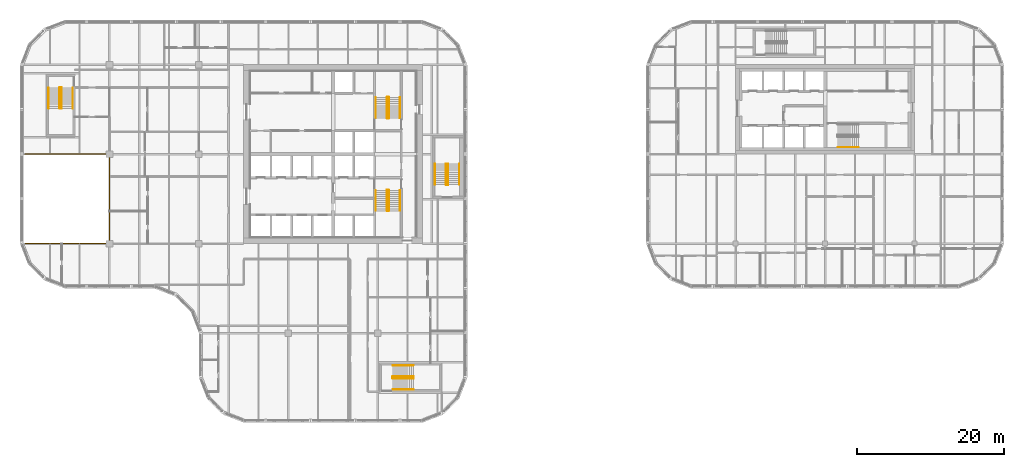
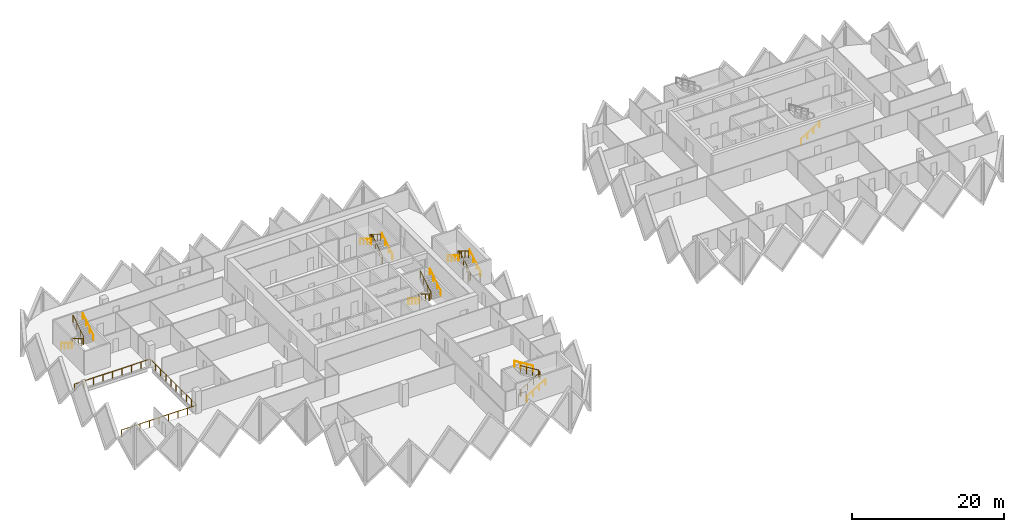
# One storey, part 18 of 19: 17 railings.
"""IFC4 building model written with IfcOpenShell, lengths in metres."""

from ifc_helpers import new_model, si_unit, direction, frame, origin, origin_2d, place, context, subcontext, project, spatial, circle, extrude, material, type_object, element, save


model = new_model("IFC4")

# Units and contexts
model_context = context("Model", 3, precision=1e-05, world=origin(), true_north=direction((0.0, 1.0)))
body_context = subcontext(model_context, "Body", "Model", "MODEL_VIEW")
ifc_project = project(units=[si_unit("LENGTHUNIT", "METRE"), si_unit("AREAUNIT", "SQUARE_METRE"), si_unit("VOLUMEUNIT", "CUBIC_METRE"), si_unit("PLANEANGLEUNIT", "RADIAN"), si_unit("MASSUNIT", "GRAM", prefix="KILO")], contexts=[model_context])

# Site, building, storey
site_placement = place(None, origin())
site = spatial("IfcSite", under=ifc_project, at=site_placement, CompositionType="ELEMENT")
building_placement = place(site_placement, origin())
building = spatial("IfcBuilding", under=site, at=building_placement, Name="Tessera Gate Towers", CompositionType="ELEMENT")
storey_placement = place(building_placement, frame((0.0, 0.0, 76.199951171875)))
storey = spatial("IfcBuildingStorey", under=building, at=storey_placement, Name="L18", CompositionType="ELEMENT", Elevation=76.199951171875)

# Railings
ifc_material_1 = material(Name="Toughened glass with stainless steel handrail", Category="steel")
railing_type_1 = type_object("IfcRailingType", Name="GUARD 1100 GLASS BALUSTRADE", PredefinedType="GUARDRAIL", material=ifc_material_1)
railing_1_placement = place(storey_placement, frame((0.750244140625, 24.39990234375, 0.0)))
element("IfcRailing", 1, at=railing_1_placement, inside=storey, type_object=railing_type_1, Name="Guard", PredefinedType="GUARDRAIL", context=body_context, shape_type="SweptSolid", body=[
    extrude(circle(Radius=0.02490234375, at=origin_2d()), frame((0.0, 0.0, 1.0751953125), z_axis=(1.0, 0.0, 0.0), x_axis=(0.0, 1.0, 0.0)), (0.0, 0.0, 1.0), 11.44970703125),
    extrude(circle(Radius=0.02490234375, at=origin_2d()), frame((11.44970703125, 0.0, 1.0751953125), z_axis=(0.0, 1.0, 0.0), x_axis=(-1.0, 0.0, 0.0)), (0.0, 0.0, 1.0), 12.2001953125),
    extrude(circle(Radius=0.02490234375, at=origin_2d()), frame((11.44970703125, 12.2001953125, 1.0751953125), z_axis=(-1.0, 0.0, 0.0), x_axis=(0.0, -1.0, 0.0)), (0.0, 0.0, 1.0), 11.5),
    extrude(circle(Radius=0.02490234375, at=origin_2d()), origin(), (0.0, 0.0, 1.0), 1.050048828125),
    extrude(circle(Radius=0.02490234375, at=origin_2d()), frame((1.43115234375, 0.0, 0.0)), (0.0, 0.0, 1.0), 1.050048828125),
    extrude(circle(Radius=0.02490234375, at=origin_2d()), frame((2.8623046875, 0.0, 0.0)), (0.0, 0.0, 1.0), 1.050048828125),
    extrude(circle(Radius=0.02490234375, at=origin_2d()), frame((4.293701171875, 0.0, 0.0)), (0.0, 0.0, 1.0), 1.050048828125),
    extrude(circle(Radius=0.02490234375, at=origin_2d()), frame((5.724853515625, 0.0, 0.0)), (0.0, 0.0, 1.0), 1.050048828125),
    extrude(circle(Radius=0.02490234375, at=origin_2d()), frame((7.156005859375, 0.0, 0.0)), (0.0, 0.0, 1.0), 1.050048828125),
    extrude(circle(Radius=0.02490234375, at=origin_2d()), frame((8.58740234375, 0.0, 0.0)), (0.0, 0.0, 1.0), 1.050048828125),
    extrude(circle(Radius=0.02490234375, at=origin_2d()), frame((10.0185546875, 0.0, 0.0)), (0.0, 0.0, 1.0), 1.050048828125),
    extrude(circle(Radius=0.02490234375, at=origin_2d()), frame((11.44970703125, 0.0, 0.0)), (0.0, 0.0, 1.0), 1.050048828125),
    extrude(circle(Radius=0.02490234375, at=origin_2d()), frame((11.44970703125, 1.35546875, 0.0)), (0.0, 0.0, 1.0), 1.050048828125),
    extrude(circle(Radius=0.02490234375, at=origin_2d()), frame((11.44970703125, 2.711181640625, 0.0)), (0.0, 0.0, 1.0), 1.050048828125),
    extrude(circle(Radius=0.02490234375, at=origin_2d()), frame((11.44970703125, 4.066650390625, 0.0)), (0.0, 0.0, 1.0), 1.050048828125),
    extrude(circle(Radius=0.02490234375, at=origin_2d()), frame((11.44970703125, 5.42236328125, 0.0)), (0.0, 0.0, 1.0), 1.050048828125),
    extrude(circle(Radius=0.02490234375, at=origin_2d()), frame((11.44970703125, 6.77783203125, 0.0)), (0.0, 0.0, 1.0), 1.050048828125),
    extrude(circle(Radius=0.02490234375, at=origin_2d()), frame((11.44970703125, 8.133544921875, 0.0)), (0.0, 0.0, 1.0), 1.050048828125),
    extrude(circle(Radius=0.02490234375, at=origin_2d()), frame((11.44970703125, 9.489013671875, 0.0)), (0.0, 0.0, 1.0), 1.050048828125),
    extrude(circle(Radius=0.02490234375, at=origin_2d()), frame((11.44970703125, 10.8447265625, 0.0)), (0.0, 0.0, 1.0), 1.050048828125),
    extrude(circle(Radius=0.02490234375, at=origin_2d()), frame((11.44970703125, 12.2001953125, 0.0)), (0.0, 0.0, 1.0), 1.050048828125),
    extrude(circle(Radius=0.02490234375, at=origin_2d()), frame((10.01220703125, 12.2001953125, 0.0)), (0.0, 0.0, 1.0), 1.050048828125),
    extrude(circle(Radius=0.02490234375, at=origin_2d()), frame((8.57470703125, 12.2001953125, 0.0)), (0.0, 0.0, 1.0), 1.050048828125),
    extrude(circle(Radius=0.02490234375, at=origin_2d()), frame((7.13720703125, 12.2001953125, 0.0)), (0.0, 0.0, 1.0), 1.050048828125),
    extrude(circle(Radius=0.02490234375, at=origin_2d()), frame((5.69970703125, 12.2001953125, 0.0)), (0.0, 0.0, 1.0), 1.050048828125),
    extrude(circle(Radius=0.02490234375, at=origin_2d()), frame((4.26220703125, 12.2001953125, 0.0)), (0.0, 0.0, 1.0), 1.050048828125),
    extrude(circle(Radius=0.02490234375, at=origin_2d()), frame((2.82470703125, 12.2001953125, 0.0)), (0.0, 0.0, 1.0), 1.050048828125),
    extrude(circle(Radius=0.02490234375, at=origin_2d()), frame((1.38720703125, 12.2001953125, 0.0)), (0.0, 0.0, 1.0), 1.050048828125),
    extrude(circle(Radius=0.02490234375, at=origin_2d()), frame((-0.05029296875, 12.2001953125, 0.0)), (0.0, 0.0, 1.0), 1.050048828125),
])
ifc_material_2 = material(Name="Steel 350W", Category="steel")
railing_type_2 = type_object("IfcRailingType", Name="STAIR GUARD 1100", PredefinedType="GUARDRAIL", material=ifc_material_2)
railing_2_placement = place(storey_placement, frame((50.27490234375, 31.72509765625, 0.0)))
element("IfcRailing", 2, at=railing_2_placement, inside=storey, type_object=railing_type_2, Name="L18 ST1 stair guard 1", PredefinedType="GUARDRAIL", context=body_context, shape_type="SweptSolid", body=[
    extrude(circle(Radius=0.02392578125, at=origin_2d()), frame((0.0, 0.0, 1.076171875), z_axis=(-1.0, 0.0, 0.0), x_axis=(0.0, -1.0, 0.0)), (0.0, 0.0, 1.0), 0.199951171875),
    extrude(circle(Radius=0.02392578125, at=origin_2d()), frame((-0.199951171875, 0.0, 1.076171875), z_axis=(-0.267953482034, -0.267953482034, 0.925419830635), x_axis=(0.707106781187, -0.707106781187, 0.0)), (0.0, 0.0, 1.0), 0.186767578125),
    extrude(circle(Radius=0.02392578125, at=origin_2d()), frame((-0.25, -0.050048828125, 1.2490234375), z_axis=(0.0, -0.851089632645, 0.525020415988), x_axis=(1.0, 0.0, 0.0)), (0.0, 0.0, 1.0), 3.2900390625),
    extrude(circle(Radius=0.02392578125, at=origin_2d()), frame((-0.25, -2.85009765625, 2.97607421875), z_axis=(0.707106781187, -0.707106781187, 0.0), x_axis=(0.707106781187, 0.707106781187, 0.0)), (0.0, 0.0, 1.0), 0.07080078125),
    extrude(circle(Radius=0.02392578125, at=origin_2d()), frame((-0.199951171875, -2.900146484375, 2.97607421875), z_axis=(1.0, 0.0, 0.0), x_axis=(0.0, 1.0, 0.0)), (0.0, 0.0, 1.0), 0.199951171875),
    extrude(circle(Radius=0.02392578125, at=origin_2d()), frame((0.0, -2.900146484375, 2.97607421875), z_axis=(0.268277960024, 0.268277960024, 0.925231793839), x_axis=(-0.707106781187, 0.707106781187, 0.0)), (0.0, 0.0, 1.0), 0.1865234375),
    extrude(circle(Radius=0.02392578125, at=origin_2d()), frame((0.050048828125, -2.85009765625, 3.14892578125), z_axis=(0.0, 0.851089632645, 0.525020415988), x_axis=(-1.0, 0.0, 0.0)), (0.0, 0.0, 1.0), 3.2900390625),
    extrude(circle(Radius=0.02099609375, at=origin_2d()), origin(), (0.0, 0.0, 1.0), 1.052001953125),
    extrude(circle(Radius=0.02099609375, at=origin_2d()), frame((-0.199951171875, 0.0, 0.0)), (0.0, 0.0, 1.0), 1.052001953125),
    extrude(circle(Radius=0.02099609375, at=origin_2d()), frame((-0.25, -0.050048828125, 0.1728515625)), (0.0, 0.0, 1.0), 1.052001953125),
    extrude(circle(Radius=0.02099609375, at=origin_2d()), frame((-0.25, -0.9833984375, 0.74853515625)), (0.0, 0.0, 1.0), 1.052001953125),
    extrude(circle(Radius=0.02099609375, at=origin_2d()), frame((-0.25, -1.916748046875, 1.324462890625)), (0.0, 0.0, 1.0), 1.052001953125),
    extrude(circle(Radius=0.02099609375, at=origin_2d()), frame((-0.25, -2.85009765625, 1.900146484375)), (0.0, 0.0, 1.0), 1.052001953125),
    extrude(circle(Radius=0.02099609375, at=origin_2d()), frame((-0.199951171875, -2.900146484375, 1.900146484375)), (0.0, 0.0, 1.0), 1.052001953125),
    extrude(circle(Radius=0.02099609375, at=origin_2d()), frame((0.0, -2.900146484375, 1.900146484375)), (0.0, 0.0, 1.0), 1.052001953125),
    extrude(circle(Radius=0.02099609375, at=origin_2d()), frame((0.050048828125, -2.85009765625, 2.07275390625)), (0.0, 0.0, 1.0), 1.052001953125),
    extrude(circle(Radius=0.02099609375, at=origin_2d()), frame((0.050048828125, -1.916748046875, 2.6484375)), (0.0, 0.0, 1.0), 1.052001953125),
    extrude(circle(Radius=0.02099609375, at=origin_2d()), frame((0.050048828125, -0.9833984375, 3.224365234375)), (0.0, 0.0, 1.0), 1.052001953125),
    extrude(circle(Radius=0.02099609375, at=origin_2d()), frame((0.050048828125, -0.050048828125, 3.800048828125)), (0.0, 0.0, 1.0), 1.052001953125),
])
railing_3_placement = place(storey_placement, frame((50.074951171875, 41.47509765625, 0.0)))
element("IfcRailing", 3, at=railing_3_placement, inside=storey, type_object=railing_type_2, Name="L18 ST2 stair guard 1", PredefinedType="GUARDRAIL", context=body_context, shape_type="SweptSolid", body=[
    extrude(circle(Radius=0.02392578125, at=origin_2d()), frame((0.0, 0.0, 1.076171875), z_axis=(1.0, 0.0, 0.0), x_axis=(0.0, 1.0, 0.0)), (0.0, 0.0, 1.0), 0.199951171875),
    extrude(circle(Radius=0.02392578125, at=origin_2d()), frame((0.199951171875, 0.0, 1.076171875), z_axis=(0.268047150085, 0.266739603011, 0.925743328097), x_axis=(-0.705375805398, 0.708833529934, 0.0)), (0.0, 0.0, 1.0), 0.186767578125),
    extrude(circle(Radius=0.02392578125, at=origin_2d()), frame((0.25, 0.0498046875, 1.2490234375), z_axis=(0.0, 0.851089632645, 0.525020415988), x_axis=(-1.0, 0.0, 0.0)), (0.0, 0.0, 1.0), 3.2900390625),
    extrude(circle(Radius=0.02392578125, at=origin_2d()), frame((0.25, 2.849853515625, 2.97607421875), z_axis=(-0.707106781187, 0.707106781187, 0.0), x_axis=(-0.707106781187, -0.707106781187, 0.0)), (0.0, 0.0, 1.0), 0.07080078125),
    extrude(circle(Radius=0.02392578125, at=origin_2d()), frame((0.199951171875, 2.89990234375, 2.97607421875), z_axis=(-1.0, 0.0, 0.0), x_axis=(0.0, -1.0, 0.0)), (0.0, 0.0, 1.0), 0.199951171875),
    extrude(circle(Radius=0.02392578125, at=origin_2d()), frame((0.0, 2.89990234375, 2.97607421875), z_axis=(-0.268277960024, -0.268277960024, 0.925231793839), x_axis=(0.707106781187, -0.707106781187, 0.0)), (0.0, 0.0, 1.0), 0.1865234375),
    extrude(circle(Radius=0.02392578125, at=origin_2d()), frame((-0.050048828125, 2.849853515625, 3.14892578125), z_axis=(0.0, -0.851089632645, 0.525020415988), x_axis=(1.0, 0.0, 0.0)), (0.0, 0.0, 1.0), 3.2900390625),
    extrude(circle(Radius=0.02099609375, at=origin_2d()), origin(), (0.0, 0.0, 1.0), 1.052001953125),
    extrude(circle(Radius=0.02099609375, at=origin_2d()), frame((0.199951171875, 0.0, 0.0)), (0.0, 0.0, 1.0), 1.052001953125),
    extrude(circle(Radius=0.02099609375, at=origin_2d()), frame((0.25, 0.0498046875, 0.1728515625)), (0.0, 0.0, 1.0), 1.052001953125),
    extrude(circle(Radius=0.02099609375, at=origin_2d()), frame((0.25, 0.983154296875, 0.74853515625)), (0.0, 0.0, 1.0), 1.052001953125),
    extrude(circle(Radius=0.02099609375, at=origin_2d()), frame((0.25, 1.91650390625, 1.324462890625)), (0.0, 0.0, 1.0), 1.052001953125),
    extrude(circle(Radius=0.02099609375, at=origin_2d()), frame((0.25, 2.849853515625, 1.900146484375)), (0.0, 0.0, 1.0), 1.052001953125),
    extrude(circle(Radius=0.02099609375, at=origin_2d()), frame((0.199951171875, 2.89990234375, 1.900146484375)), (0.0, 0.0, 1.0), 1.052001953125),
    extrude(circle(Radius=0.02099609375, at=origin_2d()), frame((0.0, 2.89990234375, 1.900146484375)), (0.0, 0.0, 1.0), 1.052001953125),
    extrude(circle(Radius=0.02099609375, at=origin_2d()), frame((-0.050048828125, 2.849853515625, 2.07275390625)), (0.0, 0.0, 1.0), 1.052001953125),
    extrude(circle(Radius=0.02099609375, at=origin_2d()), frame((-0.050048828125, 1.91650390625, 2.6484375)), (0.0, 0.0, 1.0), 1.052001953125),
    extrude(circle(Radius=0.02099609375, at=origin_2d()), frame((-0.050048828125, 0.983154296875, 3.224365234375)), (0.0, 0.0, 1.0), 1.052001953125),
    extrude(circle(Radius=0.02099609375, at=origin_2d()), frame((-0.050048828125, 0.0498046875, 3.800048828125)), (0.0, 0.0, 1.0), 1.052001953125),
])
railing_4_placement = place(storey_placement, frame((5.64990234375, 45.699951171875, 0.0)))
element("IfcRailing", 4, at=railing_4_placement, inside=storey, type_object=railing_type_2, Name="L18 ST3 stair guard 1", PredefinedType="GUARDRAIL", context=body_context, shape_type="SweptSolid", body=[
    extrude(circle(Radius=0.02392578125, at=origin_2d()), frame((0.0, 0.0, 1.076171875), z_axis=(-1.0, 0.0, 0.0), x_axis=(0.0, -1.0, 0.0)), (0.0, 0.0, 1.0), 0.199951171875),
    extrude(circle(Radius=0.02392578125, at=origin_2d()), frame((-0.199951171875, 0.0, 1.076171875), z_axis=(-0.267953482034, -0.267953482034, 0.925419830635), x_axis=(0.707106781187, -0.707106781187, 0.0)), (0.0, 0.0, 1.0), 0.186767578125),
    extrude(circle(Radius=0.02392578125, at=origin_2d()), frame((-0.25, -0.050048828125, 1.2490234375), z_axis=(0.0, -0.851069175582, 0.525053576669), x_axis=(1.0, 0.0, 0.0)), (0.0, 0.0, 1.0), 3.289794921875),
    extrude(circle(Radius=0.02392578125, at=origin_2d()), frame((-0.25, -2.849853515625, 2.97607421875), z_axis=(0.707106781187, -0.707106781187, 0.0), x_axis=(0.707106781187, 0.707106781187, 0.0)), (0.0, 0.0, 1.0), 0.07080078125),
    extrude(circle(Radius=0.02392578125, at=origin_2d()), frame((-0.199951171875, -2.89990234375, 2.97607421875), z_axis=(1.0, 0.0, 0.0), x_axis=(0.0, 1.0, 0.0)), (0.0, 0.0, 1.0), 0.199951171875),
    extrude(circle(Radius=0.02392578125, at=origin_2d()), frame((0.0, -2.89990234375, 2.97607421875), z_axis=(0.268277960024, 0.268277960024, 0.925231793839), x_axis=(-0.707106781187, 0.707106781187, 0.0)), (0.0, 0.0, 1.0), 0.1865234375),
    extrude(circle(Radius=0.02392578125, at=origin_2d()), frame((0.050048828125, -2.849853515625, 3.14892578125), z_axis=(0.0, 0.851069175582, 0.525053576669), x_axis=(-1.0, 0.0, 0.0)), (0.0, 0.0, 1.0), 3.289794921875),
    extrude(circle(Radius=0.02099609375, at=origin_2d()), origin(), (0.0, 0.0, 1.0), 1.052001953125),
    extrude(circle(Radius=0.02099609375, at=origin_2d()), frame((-0.199951171875, 0.0, 0.0)), (0.0, 0.0, 1.0), 1.052001953125),
    extrude(circle(Radius=0.02099609375, at=origin_2d()), frame((-0.25, -0.050048828125, 0.1728515625)), (0.0, 0.0, 1.0), 1.052001953125),
    extrude(circle(Radius=0.02099609375, at=origin_2d()), frame((-0.25, -0.9833984375, 0.74853515625)), (0.0, 0.0, 1.0), 1.052001953125),
    extrude(circle(Radius=0.02099609375, at=origin_2d()), frame((-0.25, -1.91650390625, 1.324462890625)), (0.0, 0.0, 1.0), 1.052001953125),
    extrude(circle(Radius=0.02099609375, at=origin_2d()), frame((-0.25, -2.849853515625, 1.900146484375)), (0.0, 0.0, 1.0), 1.052001953125),
    extrude(circle(Radius=0.02099609375, at=origin_2d()), frame((-0.199951171875, -2.89990234375, 1.900146484375)), (0.0, 0.0, 1.0), 1.052001953125),
    extrude(circle(Radius=0.02099609375, at=origin_2d()), frame((0.0, -2.89990234375, 1.900146484375)), (0.0, 0.0, 1.0), 1.052001953125),
    extrude(circle(Radius=0.02099609375, at=origin_2d()), frame((0.050048828125, -2.849853515625, 2.07275390625)), (0.0, 0.0, 1.0), 1.052001953125),
    extrude(circle(Radius=0.02099609375, at=origin_2d()), frame((0.050048828125, -1.91650390625, 2.6484375)), (0.0, 0.0, 1.0), 1.052001953125),
    extrude(circle(Radius=0.02099609375, at=origin_2d()), frame((0.050048828125, -0.9833984375, 3.224365234375)), (0.0, 0.0, 1.0), 1.052001953125),
    extrude(circle(Radius=0.02099609375, at=origin_2d()), frame((0.050048828125, -0.050048828125, 3.800048828125)), (0.0, 0.0, 1.0), 1.052001953125),
])
railing_5_placement = place(storey_placement, frame((50.800048828125, 6.25, 0.0)))
element("IfcRailing", 5, at=railing_5_placement, inside=storey, type_object=railing_type_2, Name="L18 ST4 stair guard 1", PredefinedType="GUARDRAIL", context=body_context, shape_type="SweptSolid", body=[
    extrude(circle(Radius=0.02392578125, at=origin_2d()), frame((0.0, 0.0, 1.076171875), z_axis=(0.0, -1.0, 0.0), x_axis=(1.0, 0.0, 0.0)), (0.0, 0.0, 1.0), 0.199951171875),
    extrude(circle(Radius=0.02392578125, at=origin_2d()), frame((0.0, -0.199951171875, 1.076171875), z_axis=(0.267953482034, -0.267953482034, 0.925419830635), x_axis=(0.707106781187, 0.707106781187, 0.0)), (0.0, 0.0, 1.0), 0.186767578125),
    extrude(circle(Radius=0.02392578125, at=origin_2d()), frame((0.050048828125, -0.25, 1.2490234375), z_axis=(0.851069175582, 0.0, 0.525053576669), x_axis=(0.0, 1.0, 0.0)), (0.0, 0.0, 1.0), 3.289794921875),
    extrude(circle(Radius=0.02392578125, at=origin_2d()), frame((2.849853515625, -0.25, 2.97607421875), z_axis=(0.707106781187, 0.707106781187, 0.0), x_axis=(-0.707106781187, 0.707106781187, 0.0)), (0.0, 0.0, 1.0), 0.07080078125),
    extrude(circle(Radius=0.02392578125, at=origin_2d()), frame((2.89990234375, -0.199951171875, 2.97607421875), z_axis=(0.0, 1.0, 0.0), x_axis=(-1.0, 0.0, 0.0)), (0.0, 0.0, 1.0), 0.199951171875),
    extrude(circle(Radius=0.02392578125, at=origin_2d()), frame((2.89990234375, 0.0, 2.97607421875), z_axis=(-0.268277960024, 0.268277960024, 0.925231793839), x_axis=(-0.707106781187, -0.707106781187, 0.0)), (0.0, 0.0, 1.0), 0.1865234375),
    extrude(circle(Radius=0.02392578125, at=origin_2d()), frame((2.849853515625, 0.050048828125, 3.14892578125), z_axis=(-0.851069175582, 0.0, 0.525053576669), x_axis=(0.0, -1.0, 0.0)), (0.0, 0.0, 1.0), 3.289794921875),
    extrude(circle(Radius=0.02099609375, at=origin_2d()), origin(), (0.0, 0.0, 1.0), 1.052001953125),
    extrude(circle(Radius=0.02099609375, at=origin_2d()), frame((0.0, -0.199951171875, 0.0)), (0.0, 0.0, 1.0), 1.052001953125),
    extrude(circle(Radius=0.02099609375, at=origin_2d()), frame((0.050048828125, -0.25, 0.1728515625)), (0.0, 0.0, 1.0), 1.052001953125),
    extrude(circle(Radius=0.02099609375, at=origin_2d()), frame((0.9833984375, -0.25, 0.74853515625)), (0.0, 0.0, 1.0), 1.052001953125),
    extrude(circle(Radius=0.02099609375, at=origin_2d()), frame((1.91650390625, -0.25, 1.324462890625)), (0.0, 0.0, 1.0), 1.052001953125),
    extrude(circle(Radius=0.02099609375, at=origin_2d()), frame((2.849853515625, -0.25, 1.900146484375)), (0.0, 0.0, 1.0), 1.052001953125),
    extrude(circle(Radius=0.02099609375, at=origin_2d()), frame((2.89990234375, -0.199951171875, 1.900146484375)), (0.0, 0.0, 1.0), 1.052001953125),
    extrude(circle(Radius=0.02099609375, at=origin_2d()), frame((2.89990234375, 0.0, 1.900146484375)), (0.0, 0.0, 1.0), 1.052001953125),
    extrude(circle(Radius=0.02099609375, at=origin_2d()), frame((2.849853515625, 0.050048828125, 2.07275390625)), (0.0, 0.0, 1.0), 1.052001953125),
    extrude(circle(Radius=0.02099609375, at=origin_2d()), frame((1.91650390625, 0.050048828125, 2.6484375)), (0.0, 0.0, 1.0), 1.052001953125),
    extrude(circle(Radius=0.02099609375, at=origin_2d()), frame((0.9833984375, 0.050048828125, 3.224365234375)), (0.0, 0.0, 1.0), 1.052001953125),
    extrude(circle(Radius=0.02099609375, at=origin_2d()), frame((0.050048828125, 0.050048828125, 3.800048828125)), (0.0, 0.0, 1.0), 1.052001953125),
])
railing_6_placement = place(storey_placement, frame((58.14990234375, 32.39990234375, 0.0)))
element("IfcRailing", 6, at=railing_6_placement, inside=storey, type_object=railing_type_2, Name="L18 ST5 stair guard 1", PredefinedType="GUARDRAIL", context=body_context, shape_type="SweptSolid", body=[
    extrude(circle(Radius=0.02392578125, at=origin_2d()), frame((0.0, 0.0, 1.076171875), z_axis=(1.0, 0.0, 0.0), x_axis=(0.0, 1.0, 0.0)), (0.0, 0.0, 1.0), 0.2001953125),
    extrude(circle(Radius=0.02392578125, at=origin_2d()), frame((0.2001953125, 0.0, 1.076171875), z_axis=(0.266739603011, 0.268047150085, 0.925743328097), x_axis=(-0.708833529934, 0.705375805398, 0.0)), (0.0, 0.0, 1.0), 0.186767578125),
    extrude(circle(Radius=0.02392578125, at=origin_2d()), frame((0.25, 0.050048828125, 1.2490234375), z_axis=(0.0, 0.851089632645, 0.525020415988), x_axis=(-1.0, 0.0, 0.0)), (0.0, 0.0, 1.0), 3.2900390625),
    extrude(circle(Radius=0.02392578125, at=origin_2d()), frame((0.25, 2.85009765625, 2.97607421875), z_axis=(-0.705375805398, 0.708833529934, 0.0), x_axis=(-0.708833529934, -0.705375805398, 0.0)), (0.0, 0.0, 1.0), 0.070556640625),
    extrude(circle(Radius=0.02392578125, at=origin_2d()), frame((0.2001953125, 2.900146484375, 2.97607421875), z_axis=(-1.0, 0.0, 0.0), x_axis=(0.0, -1.0, 0.0)), (0.0, 0.0, 1.0), 0.2001953125),
    extrude(circle(Radius=0.02392578125, at=origin_2d()), frame((0.0, 2.900146484375, 2.97607421875), z_axis=(-0.267062837333, -0.268371968888, 0.925556009775), x_axis=(0.708833529934, -0.705375805398, 0.0)), (0.0, 0.0, 1.0), 0.1865234375),
    extrude(circle(Radius=0.02392578125, at=origin_2d()), frame((-0.0498046875, 2.85009765625, 3.14892578125), z_axis=(0.0, -0.851089632645, 0.525020415988), x_axis=(1.0, 0.0, 0.0)), (0.0, 0.0, 1.0), 3.2900390625),
    extrude(circle(Radius=0.02099609375, at=origin_2d()), origin(), (0.0, 0.0, 1.0), 1.052001953125),
    extrude(circle(Radius=0.02099609375, at=origin_2d()), frame((0.2001953125, 0.0, 0.0)), (0.0, 0.0, 1.0), 1.052001953125),
    extrude(circle(Radius=0.02099609375, at=origin_2d()), frame((0.25, 0.050048828125, 0.1728515625)), (0.0, 0.0, 1.0), 1.052001953125),
    extrude(circle(Radius=0.02099609375, at=origin_2d()), frame((0.25, 0.9833984375, 0.74853515625)), (0.0, 0.0, 1.0), 1.052001953125),
    extrude(circle(Radius=0.02099609375, at=origin_2d()), frame((0.25, 1.916748046875, 1.324462890625)), (0.0, 0.0, 1.0), 1.052001953125),
    extrude(circle(Radius=0.02099609375, at=origin_2d()), frame((0.25, 2.85009765625, 1.900146484375)), (0.0, 0.0, 1.0), 1.052001953125),
    extrude(circle(Radius=0.02099609375, at=origin_2d()), frame((0.2001953125, 2.900146484375, 1.900146484375)), (0.0, 0.0, 1.0), 1.052001953125),
    extrude(circle(Radius=0.02099609375, at=origin_2d()), frame((0.0, 2.900146484375, 1.900146484375)), (0.0, 0.0, 1.0), 1.052001953125),
    extrude(circle(Radius=0.02099609375, at=origin_2d()), frame((-0.0498046875, 2.85009765625, 2.07275390625)), (0.0, 0.0, 1.0), 1.052001953125),
    extrude(circle(Radius=0.02099609375, at=origin_2d()), frame((-0.0498046875, 1.916748046875, 2.6484375)), (0.0, 0.0, 1.0), 1.052001953125),
    extrude(circle(Radius=0.02099609375, at=origin_2d()), frame((-0.0498046875, 0.9833984375, 3.224365234375)), (0.0, 0.0, 1.0), 1.052001953125),
    extrude(circle(Radius=0.02099609375, at=origin_2d()), frame((-0.0498046875, 0.050048828125, 3.800048828125)), (0.0, 0.0, 1.0), 1.052001953125),
])
ifc_material_3 = material(Name="Steel 350W", Category="steel")
railing_type_3 = type_object("IfcRailingType", Name="STAIR HANDRAIL 900", PredefinedType="HANDRAIL", material=ifc_material_3)
railing_7_placement = place(storey_placement, frame((48.52490234375, 31.675048828125, 0.1728515625)))
element("IfcRailing", 7, at=railing_7_placement, inside=storey, type_object=railing_type_3, Name="L18 ST1 stair handrail 1", PredefinedType="HANDRAIL", context=body_context, shape_type="SweptSolid", body=[
    extrude(circle(Radius=0.02392578125, at=origin_2d()), frame((0.0, 0.0, 0.8759765625), z_axis=(0.0, -0.851089632645, 0.525020415988), x_axis=(1.0, 0.0, 0.0)), (0.0, 0.0, 1.0), 3.2900390625),
    extrude(circle(Radius=0.02099609375, at=origin_2d()), origin(), (0.0, 0.0, 1.0), 0.851806640625),
    extrude(circle(Radius=0.02099609375, at=origin_2d()), frame((0.0, -0.933349609375, 0.57568359375)), (0.0, 0.0, 1.0), 0.851806640625),
    extrude(circle(Radius=0.02099609375, at=origin_2d()), frame((0.0, -1.86669921875, 1.151611328125)), (0.0, 0.0, 1.0), 0.851806640625),
    extrude(circle(Radius=0.02099609375, at=origin_2d()), frame((0.0, -2.800048828125, 1.727294921875)), (0.0, 0.0, 1.0), 0.851806640625),
])
for number, where, name in (
    (8, (51.824951171875, 28.875, 2.07275390625), "L18 ST1 stair handrail 2"),
    (9, (51.824951171875, 41.52490234375, 0.1728515625), "L18 ST2 stair handrail 1"),
):
    element("IfcRailing", number, at=place(storey_placement, frame(where)), inside=storey, type_object=railing_type_3, Name=name, PredefinedType="HANDRAIL", context=body_context, shape_type="SweptSolid", body=[
        extrude(circle(Radius=0.02392578125, at=origin_2d()), frame((0.0, 0.0, 0.8759765625), z_axis=(0.0, 0.851089632645, 0.525020415988), x_axis=(-1.0, 0.0, 0.0)), (0.0, 0.0, 1.0), 3.2900390625),
        extrude(circle(Radius=0.02099609375, at=origin_2d()), origin(), (0.0, 0.0, 1.0), 0.851806640625),
        extrude(circle(Radius=0.02099609375, at=origin_2d()), frame((0.0, 0.933349609375, 0.57568359375)), (0.0, 0.0, 1.0), 0.851806640625),
        extrude(circle(Radius=0.02099609375, at=origin_2d()), frame((0.0, 1.86669921875, 1.151611328125)), (0.0, 0.0, 1.0), 0.851806640625),
        extrude(circle(Radius=0.02099609375, at=origin_2d()), frame((0.0, 2.800048828125, 1.727294921875)), (0.0, 0.0, 1.0), 0.851806640625),
    ])
railing_8_placement = place(storey_placement, frame((48.52490234375, 44.324951171875, 2.07275390625)))
element("IfcRailing", 10, at=railing_8_placement, inside=storey, type_object=railing_type_3, Name="L18 ST2 stair handrail 2", PredefinedType="HANDRAIL", context=body_context, shape_type="SweptSolid", body=[
    extrude(circle(Radius=0.02392578125, at=origin_2d()), frame((0.0, 0.0, 0.8759765625), z_axis=(0.0, -0.851089632645, 0.525020415988), x_axis=(1.0, 0.0, 0.0)), (0.0, 0.0, 1.0), 3.2900390625),
    extrude(circle(Radius=0.02099609375, at=origin_2d()), origin(), (0.0, 0.0, 1.0), 0.851806640625),
    extrude(circle(Radius=0.02099609375, at=origin_2d()), frame((0.0, -0.933349609375, 0.57568359375)), (0.0, 0.0, 1.0), 0.851806640625),
    extrude(circle(Radius=0.02099609375, at=origin_2d()), frame((0.0, -1.86669921875, 1.151611328125)), (0.0, 0.0, 1.0), 0.851806640625),
    extrude(circle(Radius=0.02099609375, at=origin_2d()), frame((0.0, -2.800048828125, 1.727294921875)), (0.0, 0.0, 1.0), 0.851806640625),
])
railing_9_placement = place(storey_placement, frame((3.89990234375, 45.64990234375, 0.1728515625)))
element("IfcRailing", 11, at=railing_9_placement, inside=storey, type_object=railing_type_3, Name="L18 ST3 stair handrail 1", PredefinedType="HANDRAIL", context=body_context, shape_type="SweptSolid", body=[
    extrude(circle(Radius=0.02392578125, at=origin_2d()), frame((0.0, 0.0, 0.8759765625), z_axis=(0.0, -0.851069175582, 0.525053576669), x_axis=(1.0, 0.0, 0.0)), (0.0, 0.0, 1.0), 3.289794921875),
    extrude(circle(Radius=0.02099609375, at=origin_2d()), origin(), (0.0, 0.0, 1.0), 0.851806640625),
    extrude(circle(Radius=0.02099609375, at=origin_2d()), frame((0.0, -0.933349609375, 0.57568359375)), (0.0, 0.0, 1.0), 0.851806640625),
    extrude(circle(Radius=0.02099609375, at=origin_2d()), frame((0.0, -1.866455078125, 1.151611328125)), (0.0, 0.0, 1.0), 0.851806640625),
    extrude(circle(Radius=0.02099609375, at=origin_2d()), frame((0.0, -2.7998046875, 1.727294921875)), (0.0, 0.0, 1.0), 0.851806640625),
])
railing_10_placement = place(storey_placement, frame((7.199951171875, 42.85009765625, 2.07275390625)))
element("IfcRailing", 12, at=railing_10_placement, inside=storey, type_object=railing_type_3, Name="L18 ST3 stair handrail 2", PredefinedType="HANDRAIL", context=body_context, shape_type="SweptSolid", body=[
    extrude(circle(Radius=0.02392578125, at=origin_2d()), frame((0.0, 0.0, 0.8759765625), z_axis=(0.0, 0.851069175582, 0.525053576669), x_axis=(-1.0, 0.0, 0.0)), (0.0, 0.0, 1.0), 3.289794921875),
    extrude(circle(Radius=0.02099609375, at=origin_2d()), origin(), (0.0, 0.0, 1.0), 0.851806640625),
    extrude(circle(Radius=0.02099609375, at=origin_2d()), frame((0.0, 0.933349609375, 0.57568359375)), (0.0, 0.0, 1.0), 0.851806640625),
    extrude(circle(Radius=0.02099609375, at=origin_2d()), frame((0.0, 1.866455078125, 1.151611328125)), (0.0, 0.0, 1.0), 0.851806640625),
    extrude(circle(Radius=0.02099609375, at=origin_2d()), frame((0.0, 2.7998046875, 1.727294921875)), (0.0, 0.0, 1.0), 0.851806640625),
])
railing_11_placement = place(storey_placement, frame((50.85009765625, 4.5, 0.1728515625)))
element("IfcRailing", 13, at=railing_11_placement, inside=storey, type_object=railing_type_3, Name="L18 ST4 stair handrail 1", PredefinedType="HANDRAIL", context=body_context, shape_type="SweptSolid", body=[
    extrude(circle(Radius=0.02392578125, at=origin_2d()), frame((0.0, 0.0, 0.8759765625), z_axis=(0.851069175582, 0.0, 0.525053576669), x_axis=(0.0, 1.0, 0.0)), (0.0, 0.0, 1.0), 3.289794921875),
    extrude(circle(Radius=0.02099609375, at=origin_2d()), origin(), (0.0, 0.0, 1.0), 0.851806640625),
    extrude(circle(Radius=0.02099609375, at=origin_2d()), frame((0.933349609375, 0.0, 0.57568359375)), (0.0, 0.0, 1.0), 0.851806640625),
    extrude(circle(Radius=0.02099609375, at=origin_2d()), frame((1.866455078125, 0.0, 1.151611328125)), (0.0, 0.0, 1.0), 0.851806640625),
    extrude(circle(Radius=0.02099609375, at=origin_2d()), frame((2.7998046875, 0.0, 1.727294921875)), (0.0, 0.0, 1.0), 0.851806640625),
])
railing_12_placement = place(storey_placement, frame((53.64990234375, 7.800048828125, 2.07275390625)))
element("IfcRailing", 14, at=railing_12_placement, inside=storey, type_object=railing_type_3, Name="L18 ST4 stair handrail 2", PredefinedType="HANDRAIL", context=body_context, shape_type="SweptSolid", body=[
    extrude(circle(Radius=0.02392578125, at=origin_2d()), frame((0.0, 0.0, 0.8759765625), z_axis=(-0.851069175582, 0.0, 0.525053576669), x_axis=(0.0, -1.0, 0.0)), (0.0, 0.0, 1.0), 3.289794921875),
    extrude(circle(Radius=0.02099609375, at=origin_2d()), origin(), (0.0, 0.0, 1.0), 0.851806640625),
    extrude(circle(Radius=0.02099609375, at=origin_2d()), frame((-0.933349609375, 0.0, 0.57568359375)), (0.0, 0.0, 1.0), 0.851806640625),
    extrude(circle(Radius=0.02099609375, at=origin_2d()), frame((-1.866455078125, 0.0, 1.151611328125)), (0.0, 0.0, 1.0), 0.851806640625),
    extrude(circle(Radius=0.02099609375, at=origin_2d()), frame((-2.7998046875, 0.0, 1.727294921875)), (0.0, 0.0, 1.0), 0.851806640625),
])
railing_13_placement = place(storey_placement, frame((59.89990234375, 32.449951171875, 0.1728515625)))
element("IfcRailing", 15, at=railing_13_placement, inside=storey, type_object=railing_type_3, Name="L18 ST5 stair handrail 1", PredefinedType="HANDRAIL", context=body_context, shape_type="SweptSolid", body=[
    extrude(circle(Radius=0.02392578125, at=origin_2d()), frame((0.0, 0.0, 0.8759765625), z_axis=(0.0, 0.851089632645, 0.525020415988), x_axis=(-1.0, 0.0, 0.0)), (0.0, 0.0, 1.0), 3.2900390625),
    extrude(circle(Radius=0.02099609375, at=origin_2d()), origin(), (0.0, 0.0, 1.0), 0.851806640625),
    extrude(circle(Radius=0.02099609375, at=origin_2d()), frame((0.0, 0.933349609375, 0.57568359375)), (0.0, 0.0, 1.0), 0.851806640625),
    extrude(circle(Radius=0.02099609375, at=origin_2d()), frame((0.0, 1.86669921875, 1.151611328125)), (0.0, 0.0, 1.0), 0.851806640625),
    extrude(circle(Radius=0.02099609375, at=origin_2d()), frame((0.0, 2.800048828125, 1.727294921875)), (0.0, 0.0, 1.0), 0.851806640625),
])
railing_14_placement = place(storey_placement, frame((56.60009765625, 35.25, 2.07275390625)))
element("IfcRailing", 16, at=railing_14_placement, inside=storey, type_object=railing_type_3, Name="L18 ST5 stair handrail 2", PredefinedType="HANDRAIL", context=body_context, shape_type="SweptSolid", body=[
    extrude(circle(Radius=0.02392578125, at=origin_2d()), frame((0.0, 0.0, 0.8759765625), z_axis=(0.0, -0.851089632645, 0.525020415988), x_axis=(1.0, 0.0, 0.0)), (0.0, 0.0, 1.0), 3.2900390625),
    extrude(circle(Radius=0.02099609375, at=origin_2d()), origin(), (0.0, 0.0, 1.0), 0.851806640625),
    extrude(circle(Radius=0.02099609375, at=origin_2d()), frame((0.0, -0.933349609375, 0.57568359375)), (0.0, 0.0, 1.0), 0.851806640625),
    extrude(circle(Radius=0.02099609375, at=origin_2d()), frame((0.0, -1.86669921875, 1.151611328125)), (0.0, 0.0, 1.0), 0.851806640625),
    extrude(circle(Radius=0.02099609375, at=origin_2d()), frame((0.0, -2.800048828125, 1.727294921875)), (0.0, 0.0, 1.0), 0.851806640625),
])
railing_15_placement = place(storey_placement, frame((111.550048828125, 37.550048828125, 0.1728515625)))
element("IfcRailing", 17, at=railing_15_placement, inside=storey, type_object=railing_type_3, Name="L18 ST6 stair handrail 1", PredefinedType="HANDRAIL", context=body_context, shape_type="SweptSolid", body=[
    extrude(circle(Radius=0.02392578125, at=origin_2d()), frame((0.0, 0.0, 0.8759765625), z_axis=(0.851089632645, 0.0, 0.525020415988), x_axis=(0.0, 1.0, 0.0)), (0.0, 0.0, 1.0), 3.2900390625),
    extrude(circle(Radius=0.02099609375, at=origin_2d()), origin(), (0.0, 0.0, 1.0), 0.851806640625),
    extrude(circle(Radius=0.02099609375, at=origin_2d()), frame((0.933349609375, 0.0, 0.57568359375)), (0.0, 0.0, 1.0), 0.851806640625),
    extrude(circle(Radius=0.02099609375, at=origin_2d()), frame((1.86669921875, 0.0, 1.151611328125)), (0.0, 0.0, 1.0), 0.851806640625),
    extrude(circle(Radius=0.02099609375, at=origin_2d()), frame((2.800048828125, 0.0, 1.727294921875)), (0.0, 0.0, 1.0), 0.851806640625),
])

save(model, "model.ifc")
